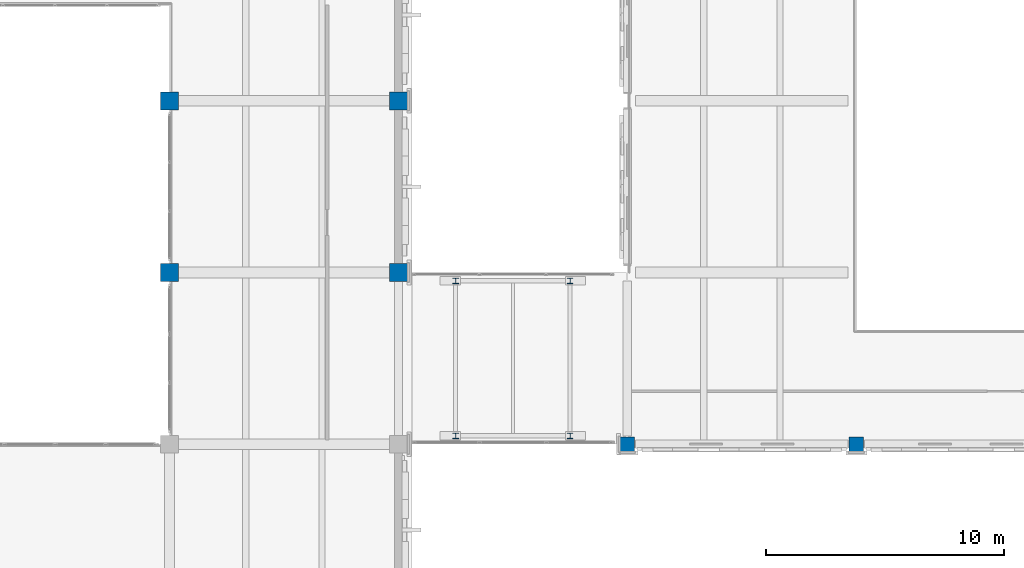
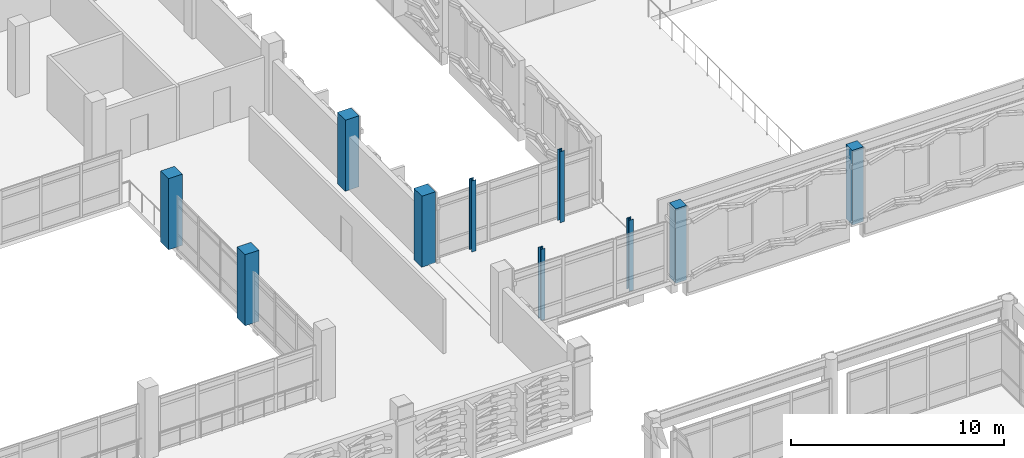
# One storey, part 6 of 180: 10 columns.
"""IFC4 building model written with IfcOpenShell, lengths in metres."""

from ifc_helpers import new_model, si_unit, direction, frame, origin, origin_2d, place, context, subcontext, project, spatial, rectangle, i_section, extrude, material, material_profile, profile_set, type_object, element, save


model = new_model("IFC4")

# Units and contexts
model_context = context("Model", 3, precision=1e-05, world=origin(), true_north=direction((0.0, 1.0)))
body_context = subcontext(model_context, "Body", "Model", "MODEL_VIEW")
ifc_project = project(units=[si_unit("LENGTHUNIT", "METRE"), si_unit("AREAUNIT", "SQUARE_METRE"), si_unit("VOLUMEUNIT", "CUBIC_METRE"), si_unit("PLANEANGLEUNIT", "RADIAN"), si_unit("MASSUNIT", "GRAM", prefix="KILO")], contexts=[model_context])

# Site, building, storey
site_placement = place(None, origin())
site = spatial("IfcSite", under=ifc_project, at=site_placement, CompositionType="ELEMENT")
building_placement = place(site_placement, origin())
building = spatial("IfcBuilding", under=site, at=building_placement, Name="Asteropetra Specialist Clinic", CompositionType="ELEMENT")
storey_placement = place(building_placement, frame((0.0, 0.0, 4.419921875)))
storey = spatial("IfcBuildingStorey", under=building, at=storey_placement, Name="L01", CompositionType="ELEMENT", Elevation=4.419921875)

# Columns
ifc_material_1 = material(Name="Concrete C35/45", Category="concrete")
ifc_material_profile_1 = material_profile(ifc_material_1, rectangle(XDim=0.60009765625, YDim=0.60009765625, at=origin_2d()), Name="RC 600x600")
ifc_profile_set_1 = profile_set([ifc_material_profile_1], Name="Concrete C35/45")
column_type_1 = type_object("IfcColumnType", Name="COL-RC600", PredefinedType="COLUMN", material=ifc_profile_set_1)
for number, where, z_axis, x_axis, name in (
    (1, (86.39990234375, 76.800048828125, 0.0), (0.0, 0.0, 1.0), (1.0, 0.0, 0.0), "Column CCOL05-0602"),
    (2, (96.0, 76.800048828125, 0.0), (0.0, 0.0, 1.0), (1.0, 0.0, 0.0), "Column CCOL05-0624"),
):
    element("IfcColumn", number, at=place(storey_placement, frame(where, z_axis=z_axis, x_axis=x_axis)), inside=storey, type_object=column_type_1, Name=name, PredefinedType="COLUMN", context=body_context, shape_type="SweptSolid", body=[
        extrude(rectangle(XDim=0.60009765625, YDim=0.60009765625, at=origin_2d()), origin(), (0.0, 0.0, 1.0), 4.280029296875),
    ])
ifc_material_2 = material(Name="Concrete C35/45", Category="concrete")
ifc_material_profile_2 = material_profile(ifc_material_2, rectangle(XDim=0.75, YDim=0.75, at=origin_2d()), Name="RC 750x750")
ifc_profile_set_2 = profile_set([ifc_material_profile_2], Name="Concrete C35/45")
column_type_2 = type_object("IfcColumnType", Name="COL-RC750", PredefinedType="COLUMN", material=ifc_profile_set_2)
for number, where, z_axis, x_axis, name in (
    (3, (67.199951171875, 84.0, 0.0), (0.0, 0.0, 1.0), (1.0, 0.0, 0.0), "Column CCOL02-0540"),
    (4, (67.199951171875, 91.199951171875, 0.0), (0.0, 0.0, 1.0), (1.0, 0.0, 0.0), "Column CCOL02-0542"),
    (5, (76.800048828125, 84.0, 0.0), (0.0, 0.0, 1.0), (1.0, 0.0, 0.0), "Column CCOL02-0569"),
    (6, (76.800048828125, 91.199951171875, 0.0), (0.0, 0.0, 1.0), (1.0, 0.0, 0.0), "Column CCOL02-0571"),
):
    element("IfcColumn", number, at=place(storey_placement, frame(where, z_axis=z_axis, x_axis=x_axis)), inside=storey, type_object=column_type_2, Name=name, PredefinedType="COLUMN", context=body_context, shape_type="SweptSolid", body=[
        extrude(rectangle(XDim=0.75, YDim=0.75, at=origin_2d()), origin(), (0.0, 0.0, 1.0), 4.080078125),
    ])
ifc_material_3 = material(Name="Steel S355", Category="steel")
ifc_material_profile_3 = material_profile(ifc_material_3, i_section(OverallWidth=0.239990234375, OverallDepth=0.239990234375, WebThickness=0.010009765625, FlangeThickness=0.01708984375, FilletRadius=0.02099609375, at=origin_2d()), Name="HEB 240")
ifc_profile_set_3 = profile_set([ifc_material_profile_3], Name="Steel S355")
column_type_3 = type_object("IfcColumnType", Name="COL-STL-HEB240", PredefinedType="COLUMN", material=ifc_profile_set_3)
for number, where, z_axis, x_axis, name in (
    (7, (79.199951171875, 77.14990234375, 0.0), (0.0, 0.0, 1.0), (1.0, 0.0, 0.0), "Column CCOLS2-0579"),
    (8, (79.199951171875, 83.64990234375, 0.0), (0.0, 0.0, 1.0), (1.0, 0.0, 0.0), "Column CCOLS2-0581"),
    (9, (84.0, 77.14990234375, 0.0), (0.0, 0.0, 1.0), (1.0, 0.0, 0.0), "Column CCOLS2-0587"),
    (10, (84.0, 83.64990234375, 0.0), (0.0, 0.0, 1.0), (1.0, 0.0, 0.0), "Column CCOLS2-0589"),
):
    element("IfcColumn", number, at=place(storey_placement, frame(where, z_axis=z_axis, x_axis=x_axis)), inside=storey, type_object=column_type_3, Name=name, PredefinedType="COLUMN", context=body_context, shape_type="SweptSolid", body=[
        extrude(i_section(OverallWidth=0.239990234375, OverallDepth=0.239990234375, WebThickness=0.010009765625, FlangeThickness=0.01708984375, FilletRadius=0.02099609375, at=origin_2d()), origin(), (0.0, 0.0, 1.0), 4.080078125),
    ])

save(model, "model.ifc")
